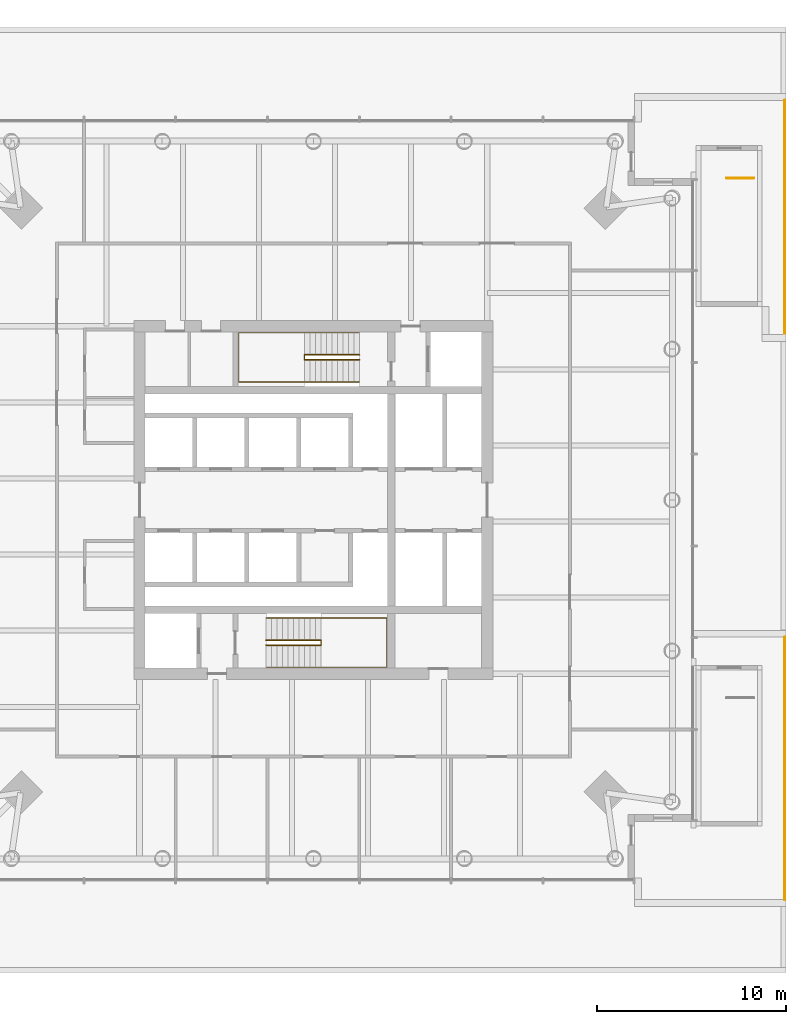
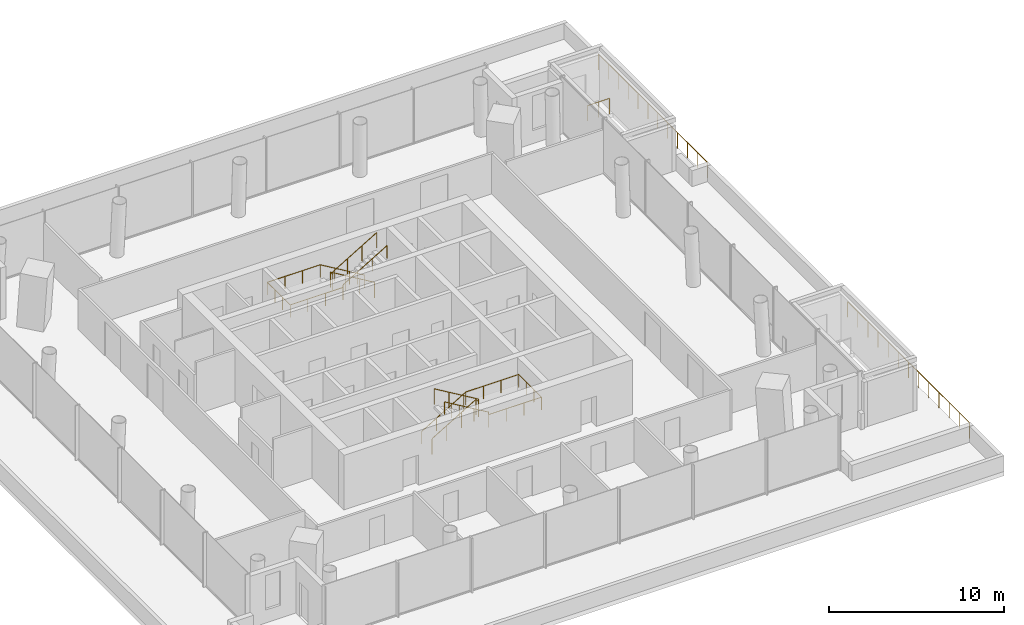
# One storey, part 19 of 19: 7 railings.
"""IFC4 building model written with IfcOpenShell, lengths in metres."""

import ifcopenshell
import ifcopenshell.guid

model = None  # the IFC model being written
_history = None  # IfcOwnerHistory: only IFC2X3 demands one
_inside = {}  # id of a spatial element -> (the spatial element, [elements in it])
_under = {}  # id of a project, library or spatial element -> (it, [spatial elements below it])
_declared = {}  # id of a project -> (the project, [libraries it declares])
_typed = {}  # id of a type object -> (the type object, [elements of that type])
_made_of = {}  # id of a material, layer set ... -> (it, [elements and type objects made of it])


def new_model(schema):
    """Start an empty IFC model of exactly this schema.

    Asked for "IFC4X3", IfcOpenShell would pick the latest addendum, in which some entities
    have other attributes; the version numbers below select the first issue.
    IFC2X3 requires an IfcOwnerHistory on every rooted entity: one is made here for all.
    """
    global model, _history
    if schema == "IFC4X3":
        model = ifcopenshell.file(schema_version=(4, 3, 0, 0))
    else:
        model = ifcopenshell.file(schema=schema)
    _inside.clear()
    _under.clear()
    _declared.clear()
    _typed.clear()
    _made_of.clear()
    _history = None
    if model.schema == "IFC2X3":
        org = make("IfcOrganization", Name="unknown")
        user = make(
            "IfcPersonAndOrganization",
            ThePerson=make("IfcPerson", FamilyName="unknown"),
            TheOrganization=org,
        )
        app = make(
            "IfcApplication",
            ApplicationDeveloper=org,
            Version="unknown",
            ApplicationFullName="unknown",
            ApplicationIdentifier="unknown",
        )
        _history = make(
            "IfcOwnerHistory",
            OwningUser=user,
            OwningApplication=app,
            ChangeAction="ADDED",
            CreationDate=0,
        )
    return model


def make(cls, **values):
    """One entity of the class cls with the attributes given. An attribute that is None is left unset."""
    return model.create_entity(
        cls, **{name: value for name, value in values.items() if value is not None}
    )


def rooted(cls, **values):
    """An entity with a GlobalId (a new one), such as an element, a storey or a relation."""
    return make(cls, GlobalId=ifcopenshell.guid.new(), OwnerHistory=_history, **values)


def si_unit(unit_type, name, prefix=None):
    """IfcSIUnit, for example si_unit("LENGTHUNIT", "METRE", prefix="MILLI")."""
    return make("IfcSIUnit", UnitType=unit_type, Prefix=prefix, Name=name)


def assignment(units):
    """IfcUnitAssignment: the units of a project."""
    return None if units is None else make("IfcUnitAssignment", Units=units)


def point(xyz):
    """IfcCartesianPoint."""
    return None if xyz is None else make("IfcCartesianPoint", Coordinates=xyz)


def direction(xyz):
    """IfcDirection."""
    return None if xyz is None else make("IfcDirection", DirectionRatios=xyz)


def frame(location, z_axis=None, x_axis=None):
    """IfcAxis2Placement3D, a coordinate frame: its origin and axes. An axis left out is left unset."""
    return make(
        "IfcAxis2Placement3D",
        Location=point(location),
        Axis=direction(z_axis),
        RefDirection=direction(x_axis),
    )


def frame_2d(location, x_axis=None):
    """IfcAxis2Placement2D, a coordinate frame in the plane: its origin and x axis."""
    return make(
        "IfcAxis2Placement2D", Location=point(location), RefDirection=direction(x_axis)
    )


def origin():
    """The frame at (0, 0, 0) with its axes left unset."""
    return frame((0.0, 0.0, 0.0))


def origin_2d():
    """The frame at (0, 0) in the plane with its x axis left unset."""
    return frame_2d((0.0, 0.0))


def place(relative_to, where):
    """IfcLocalPlacement: puts the frame where relative to a parent placement (None: the world)."""
    return make(
        "IfcLocalPlacement", PlacementRelTo=relative_to, RelativePlacement=where
    )


def context(
    kind, dimensions, precision=None, world=None, true_north=None, identifier=None
):
    """IfcGeometricRepresentationContext, for example the 3D "Model" context."""
    return make(
        "IfcGeometricRepresentationContext",
        ContextIdentifier=identifier,
        ContextType=kind,
        CoordinateSpaceDimension=dimensions,
        Precision=precision,
        WorldCoordinateSystem=world,
        TrueNorth=true_north,
    )


def subcontext(parent, identifier, kind, view, scale=None):
    """IfcGeometricRepresentationSubContext, for example "Body" below "Model"."""
    return make(
        "IfcGeometricRepresentationSubContext",
        ContextIdentifier=identifier,
        ContextType=kind,
        ParentContext=parent,
        TargetScale=scale,
        TargetView=view,
    )


def project(units=None, contexts=None):
    """IfcProject with its units and contexts."""
    return rooted(
        "IfcProject",
        Name="project",
        RepresentationContexts=contexts,
        UnitsInContext=assignment(units),
    )


def spatial(cls, under=None, at=None, **own):
    """A site, building, storey or space (cls), placed at a placement, below another one or the project."""
    s = rooted(cls, ObjectPlacement=at, **own)
    if under is not None:
        _under.setdefault(under.id(), (under, []))[1].append(s)
    return s


def profile(cls, at=None, kind="AREA", **sizes):
    """A parametric profile (cls). Its sizes go by their IFC names, for example OverallWidth=200.0."""
    return make(cls, ProfileType=kind, Position=at, **sizes)


def circle(**sizes):
    """IfcCircleProfileDef."""
    return profile("IfcCircleProfileDef", **sizes)


def extrude(swept, where, along, depth):
    """IfcExtrudedAreaSolid: the profile swept, set in the frame where, extruded along a direction by depth."""
    return make(
        "IfcExtrudedAreaSolid",
        SweptArea=swept,
        Position=where,
        ExtrudedDirection=direction(along),
        Depth=depth,
    )


def shape(context_of_items, identifier, shape_type, items):
    """IfcShapeRepresentation: the items that make up one representation, for example the "Body"."""
    return make(
        "IfcShapeRepresentation",
        ContextOfItems=context_of_items,
        RepresentationIdentifier=identifier,
        RepresentationType=shape_type,
        Items=items,
    )


def material(Name=None, Category=None):
    """IfcMaterial."""
    return make("IfcMaterial", Name=Name, Category=Category)


def made_of(thing, what):
    """Note that an element or type object is made of a material, layer set ...; save() writes the relation."""
    if what is not None:
        _made_of.setdefault(what.id(), (what, []))[1].append(thing)
    return thing


def type_object(cls, material=None, **own):
    """A type object (cls), such as IfcWallType, which elements share."""
    return made_of(rooted(cls, **own), material)


def element(
    cls,
    number,
    at=None,
    inside=None,
    cuts=None,
    type_object=None,
    material=None,
    context=None,
    identifier="Body",
    shape_type=None,
    held_by="IfcProductDefinitionShape",
    body=None,
    shapes=None,
    **own,
):
    """One element of the class cls, such as IfcWall. Its Tag is "e" and its number.

    at: its placement. inside: the storey or other place that contains it. cuts: it is an
    opening in that element (IfcRelVoidsElement). A single representation is given by context,
    identifier, shape_type and body (its items); several are given by shapes. held_by: the class
    of the entity that holds the representations. save() writes the other relations.
    """
    e = rooted(cls, Tag="e%d" % number, ObjectPlacement=at, **own)
    if body is not None:
        shapes = [shape(context, identifier, shape_type, body)]
    if shapes is not None:
        e.Representation = make(held_by, Representations=shapes)
    if inside is not None:
        _inside.setdefault(inside.id(), (inside, []))[1].append(e)
    if cuts is not None:
        rooted(
            "IfcRelVoidsElement", RelatingBuildingElement=cuts, RelatedOpeningElement=e
        )
    if type_object is not None:
        _typed.setdefault(type_object.id(), (type_object, []))[1].append(e)
    return made_of(e, material)


def aggregate(whole, parts):
    """IfcRelAggregates: a whole, such as a stair, and the parts it consists of."""
    return rooted("IfcRelAggregates", RelatingObject=whole, RelatedObjects=parts)


def save(model, path):
    """Write the relations noted so far, then the file.

    IfcRelAggregates (storeys below a building ...), IfcRelContainedInSpatialStructure (elements
    in a storey), IfcRelDefinesByType, IfcRelAssociatesMaterial and IfcRelDeclares: one each for
    every whole, place, type object, material and project.
    """
    for whole, parts in _under.values():
        aggregate(whole, parts)
    for where, things in _inside.values():
        rooted(
            "IfcRelContainedInSpatialStructure",
            RelatedElements=things,
            RelatingStructure=where,
        )
    for kind, things in _typed.values():
        rooted("IfcRelDefinesByType", RelatedObjects=things, RelatingType=kind)
    for what, things in _made_of.values():
        rooted("IfcRelAssociatesMaterial", RelatedObjects=things, RelatingMaterial=what)
    for by, libraries in _declared.values():
        rooted("IfcRelDeclares", RelatingContext=by, RelatedDefinitions=libraries)
    model.write(path)


model = new_model("IFC4")

# Units and contexts
model_context = context("Model", 3, precision=1e-05, world=origin(), true_north=direction((0.0, 1.0)))
body_context = subcontext(model_context, "Body", "Model", "MODEL_VIEW")
ifc_project = project(units=[si_unit("LENGTHUNIT", "METRE"), si_unit("AREAUNIT", "SQUARE_METRE"), si_unit("VOLUMEUNIT", "CUBIC_METRE"), si_unit("PLANEANGLEUNIT", "RADIAN"), si_unit("MASSUNIT", "GRAM", prefix="KILO")], contexts=[model_context])

# Site, building, storey
site_placement = place(None, origin())
site = spatial("IfcSite", under=ifc_project, at=site_placement, CompositionType="ELEMENT")
building_placement = place(site_placement, origin())
building = spatial("IfcBuilding", under=site, at=building_placement, Name="Ostroluk Exchange", CompositionType="ELEMENT")
storey_placement = place(building_placement, frame((0.0, 0.0, 21.0)))
storey = spatial("IfcBuildingStorey", under=building, at=storey_placement, Name="L04", CompositionType="ELEMENT", Elevation=21.0)

# Railings
ifc_material_1 = material(Name="Stainless steel", Category="steel")
railing_type_1 = type_object("IfcRailingType", Name="Guard 1100 stainless steel", PredefinedType="GUARDRAIL", material=ifc_material_1)
railing_1_placement = place(storey_placement, frame((141.949951171875, 67.14794921875, 0.0)))
element("IfcRailing", 1, at=railing_1_placement, inside=storey, type_object=railing_type_1, Name="Terrace guard L04 1.1", PredefinedType="GUARDRAIL", context=body_context, shape_type="SweptSolid", body=[
    extrude(circle(Radius=0.02392578125, at=origin_2d()), frame((0.0, 0.0, 1.076171875), z_axis=(0.0, -1.0, 0.0), x_axis=(1.0, 0.0, 0.0)), (0.0, 0.0, 1.0), 12.39599609375),
    extrude(circle(Radius=0.02099609375, at=origin_2d()), origin(), (0.0, 0.0, 1.0), 1.052001953125),
    extrude(circle(Radius=0.02099609375, at=origin_2d()), frame((0.0, -1.126953125, 0.0)), (0.0, 0.0, 1.0), 1.052001953125),
    extrude(circle(Radius=0.02099609375, at=origin_2d()), frame((0.0, -2.25390625, 0.0)), (0.0, 0.0, 1.0), 1.052001953125),
    extrude(circle(Radius=0.02099609375, at=origin_2d()), frame((0.0, -3.380615234375, 0.0)), (0.0, 0.0, 1.0), 1.052001953125),
    extrude(circle(Radius=0.02099609375, at=origin_2d()), frame((0.0, -4.507568359375, 0.0)), (0.0, 0.0, 1.0), 1.052001953125),
    extrude(circle(Radius=0.02099609375, at=origin_2d()), frame((0.0, -5.634521484375, 0.0)), (0.0, 0.0, 1.0), 1.052001953125),
    extrude(circle(Radius=0.02099609375, at=origin_2d()), frame((0.0, -6.761474609375, 0.0)), (0.0, 0.0, 1.0), 1.052001953125),
    extrude(circle(Radius=0.02099609375, at=origin_2d()), frame((0.0, -7.888427734375, 0.0)), (0.0, 0.0, 1.0), 1.052001953125),
    extrude(circle(Radius=0.02099609375, at=origin_2d()), frame((0.0, -9.015380859375, 0.0)), (0.0, 0.0, 1.0), 1.052001953125),
    extrude(circle(Radius=0.02099609375, at=origin_2d()), frame((0.0, -10.14208984375, 0.0)), (0.0, 0.0, 1.0), 1.052001953125),
    extrude(circle(Radius=0.02099609375, at=origin_2d()), frame((0.0, -11.26904296875, 0.0)), (0.0, 0.0, 1.0), 1.052001953125),
    extrude(circle(Radius=0.02099609375, at=origin_2d()), frame((0.0, -12.39599609375, 0.0)), (0.0, 0.0, 1.0), 1.052001953125),
])
railing_2_placement = place(storey_placement, frame((141.949951171875, 38.748046875, 0.0)))
element("IfcRailing", 2, at=railing_2_placement, inside=storey, type_object=railing_type_1, Name="Terrace guard L04 1.1", PredefinedType="GUARDRAIL", context=body_context, shape_type="SweptSolid", body=[
    extrude(circle(Radius=0.02392578125, at=origin_2d()), frame((0.0, 0.0, 1.076171875), z_axis=(0.0, -1.0, 0.0), x_axis=(1.0, 0.0, 0.0)), (0.0, 0.0, 1.0), 13.89599609375),
    extrude(circle(Radius=0.02099609375, at=origin_2d()), origin(), (0.0, 0.0, 1.0), 1.052001953125),
    extrude(circle(Radius=0.02099609375, at=origin_2d()), frame((0.0, -1.157958984375, 0.0)), (0.0, 0.0, 1.0), 1.052001953125),
    extrude(circle(Radius=0.02099609375, at=origin_2d()), frame((0.0, -2.31591796875, 0.0)), (0.0, 0.0, 1.0), 1.052001953125),
    extrude(circle(Radius=0.02099609375, at=origin_2d()), frame((0.0, -3.47412109375, 0.0)), (0.0, 0.0, 1.0), 1.052001953125),
    extrude(circle(Radius=0.02099609375, at=origin_2d()), frame((0.0, -4.632080078125, 0.0)), (0.0, 0.0, 1.0), 1.052001953125),
    extrude(circle(Radius=0.02099609375, at=origin_2d()), frame((0.0, -5.7900390625, 0.0)), (0.0, 0.0, 1.0), 1.052001953125),
    extrude(circle(Radius=0.02099609375, at=origin_2d()), frame((0.0, -6.947998046875, 0.0)), (0.0, 0.0, 1.0), 1.052001953125),
    extrude(circle(Radius=0.02099609375, at=origin_2d()), frame((0.0, -8.10595703125, 0.0)), (0.0, 0.0, 1.0), 1.052001953125),
    extrude(circle(Radius=0.02099609375, at=origin_2d()), frame((0.0, -9.263916015625, 0.0)), (0.0, 0.0, 1.0), 1.052001953125),
    extrude(circle(Radius=0.02099609375, at=origin_2d()), frame((0.0, -10.421875, 0.0)), (0.0, 0.0, 1.0), 1.052001953125),
    extrude(circle(Radius=0.02099609375, at=origin_2d()), frame((0.0, -11.580078125, 0.0)), (0.0, 0.0, 1.0), 1.052001953125),
    extrude(circle(Radius=0.02099609375, at=origin_2d()), frame((0.0, -12.738037109375, 0.0)), (0.0, 0.0, 1.0), 1.052001953125),
    extrude(circle(Radius=0.02099609375, at=origin_2d()), frame((0.0, -13.89599609375, 0.0)), (0.0, 0.0, 1.0), 1.052001953125),
])
ifc_material_2 = material(Name="Steel S355", Category="steel")
railing_type_2 = type_object("IfcRailingType", Name="Stair guard 1100", PredefinedType="GUARDRAIL", material=ifc_material_2)
railing_3_placement = place(storey_placement, frame((114.5, 38.580078125, 0.172607421875)))
element("IfcRailing", 3, at=railing_3_placement, inside=storey, type_object=railing_type_2, Name="Stair T2-S1 guard L04", PredefinedType="GUARDRAIL", context=body_context, shape_type="SweptSolid", body=[
    extrude(circle(Radius=0.02392578125, at=origin_2d()), frame((0.0, 0.0, 1.076171875), z_axis=(0.859141464434, 0.0, 0.511738159696), x_axis=(0.0, 1.0, 0.0)), (0.0, 0.0, 1.0), 3.375244140625),
    extrude(circle(Radius=0.02392578125, at=origin_2d()), frame((2.89990234375, 0.0, 2.80322265625), z_axis=(0.0, -1.0, 0.0), x_axis=(1.0, 0.0, 0.0)), (0.0, 0.0, 1.0), 0.260009765625),
    extrude(circle(Radius=0.02392578125, at=origin_2d()), frame((2.89990234375, -0.260009765625, 2.80322265625), z_axis=(0.0, 0.0, 1.0), x_axis=(1.0, 0.0, 0.0)), (0.0, 0.0, 1.0), 0.1728515625),
    extrude(circle(Radius=0.02392578125, at=origin_2d()), frame((2.89990234375, -0.260009765625, 2.97607421875), z_axis=(-0.859141464434, 0.0, 0.511738159696), x_axis=(0.0, -1.0, 0.0)), (0.0, 0.0, 1.0), 3.375244140625),
    extrude(circle(Radius=0.02099609375, at=origin_2d()), origin(), (0.0, 0.0, 1.0), 1.052001953125),
    extrude(circle(Radius=0.02099609375, at=origin_2d()), frame((0.966552734375, 0.0, 0.57568359375)), (0.0, 0.0, 1.0), 1.052001953125),
    extrude(circle(Radius=0.02099609375, at=origin_2d()), frame((1.933349609375, 0.0, 1.151611328125)), (0.0, 0.0, 1.0), 1.052001953125),
    extrude(circle(Radius=0.02099609375, at=origin_2d()), frame((2.89990234375, 0.0, 1.727294921875)), (0.0, 0.0, 1.0), 1.052001953125),
    extrude(circle(Radius=0.02099609375, at=origin_2d()), frame((2.89990234375, -0.260009765625, 1.727294921875)), (0.0, 0.0, 1.0), 1.052001953125),
    extrude(circle(Radius=0.02099609375, at=origin_2d()), frame((2.89990234375, -0.260009765625, 1.900146484375)), (0.0, 0.0, 1.0), 1.052001953125),
    extrude(circle(Radius=0.02099609375, at=origin_2d()), frame((1.933349609375, -0.260009765625, 2.475830078125)), (0.0, 0.0, 1.0), 1.052001953125),
    extrude(circle(Radius=0.02099609375, at=origin_2d()), frame((0.966552734375, -0.260009765625, 3.0517578125)), (0.0, 0.0, 1.0), 1.052001953125),
    extrude(circle(Radius=0.02099609375, at=origin_2d()), frame((0.0, -0.260009765625, 3.62744140625)), (0.0, 0.0, 1.0), 1.052001953125),
])
railing_4_placement = place(storey_placement, frame((119.429931640625, 53.679931640625, 0.172607421875)))
element("IfcRailing", 4, at=railing_4_placement, inside=storey, type_object=railing_type_2, Name="Stair T2-S2 guard L04", PredefinedType="GUARDRAIL", context=body_context, shape_type="SweptSolid", body=[
    extrude(circle(Radius=0.02392578125, at=origin_2d()), frame((0.0, 0.0, 1.076171875), z_axis=(-0.859141464434, 0.0, 0.511738159696), x_axis=(0.0, -1.0, 0.0)), (0.0, 0.0, 1.0), 3.375244140625),
    extrude(circle(Radius=0.02392578125, at=origin_2d()), frame((-2.89990234375, 0.0, 2.80322265625), z_axis=(0.0, -1.0, 0.0), x_axis=(1.0, 0.0, 0.0)), (0.0, 0.0, 1.0), 0.260009765625),
    extrude(circle(Radius=0.02392578125, at=origin_2d()), frame((-2.89990234375, -0.260009765625, 2.80322265625), z_axis=(0.0, 0.0, 1.0), x_axis=(1.0, 0.0, 0.0)), (0.0, 0.0, 1.0), 0.1728515625),
    extrude(circle(Radius=0.02392578125, at=origin_2d()), frame((-2.89990234375, -0.260009765625, 2.97607421875), z_axis=(0.859141464434, 0.0, 0.511738159696), x_axis=(0.0, 1.0, 0.0)), (0.0, 0.0, 1.0), 3.375244140625),
    extrude(circle(Radius=0.02099609375, at=origin_2d()), origin(), (0.0, 0.0, 1.0), 1.052001953125),
    extrude(circle(Radius=0.02099609375, at=origin_2d()), frame((-0.966552734375, 0.0, 0.57568359375)), (0.0, 0.0, 1.0), 1.052001953125),
    extrude(circle(Radius=0.02099609375, at=origin_2d()), frame((-1.933349609375, 0.0, 1.151611328125)), (0.0, 0.0, 1.0), 1.052001953125),
    extrude(circle(Radius=0.02099609375, at=origin_2d()), frame((-2.89990234375, 0.0, 1.727294921875)), (0.0, 0.0, 1.0), 1.052001953125),
    extrude(circle(Radius=0.02099609375, at=origin_2d()), frame((-2.89990234375, -0.260009765625, 1.727294921875)), (0.0, 0.0, 1.0), 1.052001953125),
    extrude(circle(Radius=0.02099609375, at=origin_2d()), frame((-2.89990234375, -0.260009765625, 1.900146484375)), (0.0, 0.0, 1.0), 1.052001953125),
    extrude(circle(Radius=0.02099609375, at=origin_2d()), frame((-1.933349609375, -0.260009765625, 2.475830078125)), (0.0, 0.0, 1.0), 1.052001953125),
    extrude(circle(Radius=0.02099609375, at=origin_2d()), frame((-0.966552734375, -0.260009765625, 3.0517578125)), (0.0, 0.0, 1.0), 1.052001953125),
    extrude(circle(Radius=0.02099609375, at=origin_2d()), frame((0.0, -0.260009765625, 3.62744140625)), (0.0, 0.0, 1.0), 1.052001953125),
])
railing_5_placement = place(storey_placement, frame((140.300048828125, 63.030029296875, 0.0)))
element("IfcRailing", 5, at=railing_5_placement, inside=storey, type_object=railing_type_2, Name="Stair PS8 well guard L04", PredefinedType="GUARDRAIL", context=body_context, shape_type="SweptSolid", body=[
    extrude(circle(Radius=0.02392578125, at=origin_2d()), frame((0.0, 0.0, 1.076171875), z_axis=(-1.0, 0.0, 0.0), x_axis=(0.0, -1.0, 0.0)), (0.0, 0.0, 1.0), 1.429931640625),
    extrude(circle(Radius=0.02099609375, at=origin_2d()), origin(), (0.0, 0.0, 1.0), 1.052001953125),
    extrude(circle(Radius=0.02099609375, at=origin_2d()), frame((-0.71484375, 0.0, 0.0)), (0.0, 0.0, 1.0), 1.052001953125),
    extrude(circle(Radius=0.02099609375, at=origin_2d()), frame((-1.429931640625, 0.0, 0.0)), (0.0, 0.0, 1.0), 1.052001953125),
])
ifc_material_3 = material(Name="Stainless steel", Category="steel")
railing_type_3 = type_object("IfcRailingType", Name="Stair handrail 900", PredefinedType="HANDRAIL", material=ifc_material_3)
railing_6_placement = place(storey_placement, frame((114.5, 39.75, 0.172607421875)))
element("IfcRailing", 6, at=railing_6_placement, inside=storey, type_object=railing_type_3, Name="Stair T2-S1 handrail L04", PredefinedType="HANDRAIL", context=body_context, shape_type="SweptSolid", body=[
    extrude(circle(Radius=0.02392578125, at=origin_2d()), frame((0.0, 0.0, 0.8759765625), z_axis=(0.859141464434, 0.0, 0.511738159696), x_axis=(0.0, 1.0, 0.0)), (0.0, 0.0, 1.0), 3.375244140625),
    extrude(circle(Radius=0.02392578125, at=origin_2d()), frame((2.89990234375, 0.0, 2.60302734375), z_axis=(1.0, 0.0, 0.0), x_axis=(0.0, 1.0, 0.0)), (0.0, 0.0, 1.0), 3.47998046875),
    extrude(circle(Radius=0.02392578125, at=origin_2d()), frame((6.3798828125, 0.0, 2.60302734375), z_axis=(0.0, -1.0, 0.0), x_axis=(1.0, 0.0, 0.0)), (0.0, 0.0, 1.0), 2.60009765625),
    extrude(circle(Radius=0.02392578125, at=origin_2d()), frame((6.3798828125, -2.60009765625, 2.60302734375), z_axis=(-1.0, 0.0, 0.0), x_axis=(0.0, -1.0, 0.0)), (0.0, 0.0, 1.0), 3.47998046875),
    extrude(circle(Radius=0.02392578125, at=origin_2d()), frame((2.89990234375, -2.60009765625, 2.60302734375), z_axis=(0.0, 0.0, 1.0), x_axis=(1.0, 0.0, 0.0)), (0.0, 0.0, 1.0), 0.1728515625),
    extrude(circle(Radius=0.02392578125, at=origin_2d()), frame((2.89990234375, -2.60009765625, 2.77587890625), z_axis=(-0.859141464434, 0.0, 0.511738159696), x_axis=(0.0, -1.0, 0.0)), (0.0, 0.0, 1.0), 3.375244140625),
    extrude(circle(Radius=0.02099609375, at=origin_2d()), origin(), (0.0, 0.0, 1.0), 0.851806640625),
    extrude(circle(Radius=0.02099609375, at=origin_2d()), frame((0.966552734375, 0.0, 0.57568359375)), (0.0, 0.0, 1.0), 0.851806640625),
    extrude(circle(Radius=0.02099609375, at=origin_2d()), frame((1.933349609375, 0.0, 1.151611328125)), (0.0, 0.0, 1.0), 0.851806640625),
    extrude(circle(Radius=0.02099609375, at=origin_2d()), frame((2.89990234375, 0.0, 1.727294921875)), (0.0, 0.0, 1.0), 0.851806640625),
    extrude(circle(Radius=0.02099609375, at=origin_2d()), frame((4.059814453125, 0.0, 1.727294921875)), (0.0, 0.0, 1.0), 0.851806640625),
    extrude(circle(Radius=0.02099609375, at=origin_2d()), frame((5.219970703125, 0.0, 1.727294921875)), (0.0, 0.0, 1.0), 0.851806640625),
    extrude(circle(Radius=0.02099609375, at=origin_2d()), frame((6.3798828125, 0.0, 1.727294921875)), (0.0, 0.0, 1.0), 0.851806640625),
    extrude(circle(Radius=0.02099609375, at=origin_2d()), frame((6.3798828125, -0.86669921875, 1.727294921875)), (0.0, 0.0, 1.0), 0.851806640625),
    extrude(circle(Radius=0.02099609375, at=origin_2d()), frame((6.3798828125, -1.7333984375, 1.727294921875)), (0.0, 0.0, 1.0), 0.851806640625),
    extrude(circle(Radius=0.02099609375, at=origin_2d()), frame((6.3798828125, -2.60009765625, 1.727294921875)), (0.0, 0.0, 1.0), 0.851806640625),
    extrude(circle(Radius=0.02099609375, at=origin_2d()), frame((5.219970703125, -2.60009765625, 1.727294921875)), (0.0, 0.0, 1.0), 0.851806640625),
    extrude(circle(Radius=0.02099609375, at=origin_2d()), frame((4.059814453125, -2.60009765625, 1.727294921875)), (0.0, 0.0, 1.0), 0.851806640625),
    extrude(circle(Radius=0.02099609375, at=origin_2d()), frame((2.89990234375, -2.60009765625, 1.727294921875)), (0.0, 0.0, 1.0), 0.851806640625),
    extrude(circle(Radius=0.02099609375, at=origin_2d()), frame((2.89990234375, -2.60009765625, 1.900146484375)), (0.0, 0.0, 1.0), 0.851806640625),
    extrude(circle(Radius=0.02099609375, at=origin_2d()), frame((1.933349609375, -2.60009765625, 2.475830078125)), (0.0, 0.0, 1.0), 0.851806640625),
    extrude(circle(Radius=0.02099609375, at=origin_2d()), frame((0.966552734375, -2.60009765625, 3.0517578125)), (0.0, 0.0, 1.0), 0.851806640625),
    extrude(circle(Radius=0.02099609375, at=origin_2d()), frame((0.0, -2.60009765625, 3.62744140625)), (0.0, 0.0, 1.0), 0.851806640625),
])
railing_7_placement = place(storey_placement, frame((119.429931640625, 54.85009765625, 0.172607421875)))
element("IfcRailing", 7, at=railing_7_placement, inside=storey, type_object=railing_type_3, Name="Stair T2-S2 handrail L04", PredefinedType="HANDRAIL", context=body_context, shape_type="SweptSolid", body=[
    extrude(circle(Radius=0.02392578125, at=origin_2d()), frame((0.0, 0.0, 0.8759765625), z_axis=(-0.859141464434, 0.0, 0.511738159696), x_axis=(0.0, -1.0, 0.0)), (0.0, 0.0, 1.0), 3.375244140625),
    extrude(circle(Radius=0.02392578125, at=origin_2d()), frame((-2.89990234375, 0.0, 2.60302734375), z_axis=(-1.0, 0.0, 0.0), x_axis=(0.0, -1.0, 0.0)), (0.0, 0.0, 1.0), 3.47998046875),
    extrude(circle(Radius=0.02392578125, at=origin_2d()), frame((-6.3798828125, 0.0, 2.60302734375), z_axis=(0.0, -1.0, 0.0), x_axis=(1.0, 0.0, 0.0)), (0.0, 0.0, 1.0), 2.60009765625),
    extrude(circle(Radius=0.02392578125, at=origin_2d()), frame((-6.3798828125, -2.60009765625, 2.60302734375), z_axis=(1.0, 0.0, 0.0), x_axis=(0.0, 1.0, 0.0)), (0.0, 0.0, 1.0), 3.47998046875),
    extrude(circle(Radius=0.02392578125, at=origin_2d()), frame((-2.89990234375, -2.60009765625, 2.60302734375), z_axis=(0.0, 0.0, 1.0), x_axis=(1.0, 0.0, 0.0)), (0.0, 0.0, 1.0), 0.1728515625),
    extrude(circle(Radius=0.02392578125, at=origin_2d()), frame((-2.89990234375, -2.60009765625, 2.77587890625), z_axis=(0.859141464434, 0.0, 0.511738159696), x_axis=(0.0, 1.0, 0.0)), (0.0, 0.0, 1.0), 3.375244140625),
    extrude(circle(Radius=0.02099609375, at=origin_2d()), origin(), (0.0, 0.0, 1.0), 0.851806640625),
    extrude(circle(Radius=0.02099609375, at=origin_2d()), frame((-0.966552734375, 0.0, 0.57568359375)), (0.0, 0.0, 1.0), 0.851806640625),
    extrude(circle(Radius=0.02099609375, at=origin_2d()), frame((-1.933349609375, 0.0, 1.151611328125)), (0.0, 0.0, 1.0), 0.851806640625),
    extrude(circle(Radius=0.02099609375, at=origin_2d()), frame((-2.89990234375, 0.0, 1.727294921875)), (0.0, 0.0, 1.0), 0.851806640625),
    extrude(circle(Radius=0.02099609375, at=origin_2d()), frame((-4.059814453125, 0.0, 1.727294921875)), (0.0, 0.0, 1.0), 0.851806640625),
    extrude(circle(Radius=0.02099609375, at=origin_2d()), frame((-5.219970703125, 0.0, 1.727294921875)), (0.0, 0.0, 1.0), 0.851806640625),
    extrude(circle(Radius=0.02099609375, at=origin_2d()), frame((-6.3798828125, 0.0, 1.727294921875)), (0.0, 0.0, 1.0), 0.851806640625),
    extrude(circle(Radius=0.02099609375, at=origin_2d()), frame((-6.3798828125, -0.86669921875, 1.727294921875)), (0.0, 0.0, 1.0), 0.851806640625),
    extrude(circle(Radius=0.02099609375, at=origin_2d()), frame((-6.3798828125, -1.7333984375, 1.727294921875)), (0.0, 0.0, 1.0), 0.851806640625),
    extrude(circle(Radius=0.02099609375, at=origin_2d()), frame((-6.3798828125, -2.60009765625, 1.727294921875)), (0.0, 0.0, 1.0), 0.851806640625),
    extrude(circle(Radius=0.02099609375, at=origin_2d()), frame((-5.219970703125, -2.60009765625, 1.727294921875)), (0.0, 0.0, 1.0), 0.851806640625),
    extrude(circle(Radius=0.02099609375, at=origin_2d()), frame((-4.059814453125, -2.60009765625, 1.727294921875)), (0.0, 0.0, 1.0), 0.851806640625),
    extrude(circle(Radius=0.02099609375, at=origin_2d()), frame((-2.89990234375, -2.60009765625, 1.727294921875)), (0.0, 0.0, 1.0), 0.851806640625),
    extrude(circle(Radius=0.02099609375, at=origin_2d()), frame((-2.89990234375, -2.60009765625, 1.900146484375)), (0.0, 0.0, 1.0), 0.851806640625),
    extrude(circle(Radius=0.02099609375, at=origin_2d()), frame((-1.933349609375, -2.60009765625, 2.475830078125)), (0.0, 0.0, 1.0), 0.851806640625),
    extrude(circle(Radius=0.02099609375, at=origin_2d()), frame((-0.966552734375, -2.60009765625, 3.0517578125)), (0.0, 0.0, 1.0), 0.851806640625),
    extrude(circle(Radius=0.02099609375, at=origin_2d()), frame((0.0, -2.60009765625, 3.62744140625)), (0.0, 0.0, 1.0), 0.851806640625),
])

save(model, "model.ifc")
